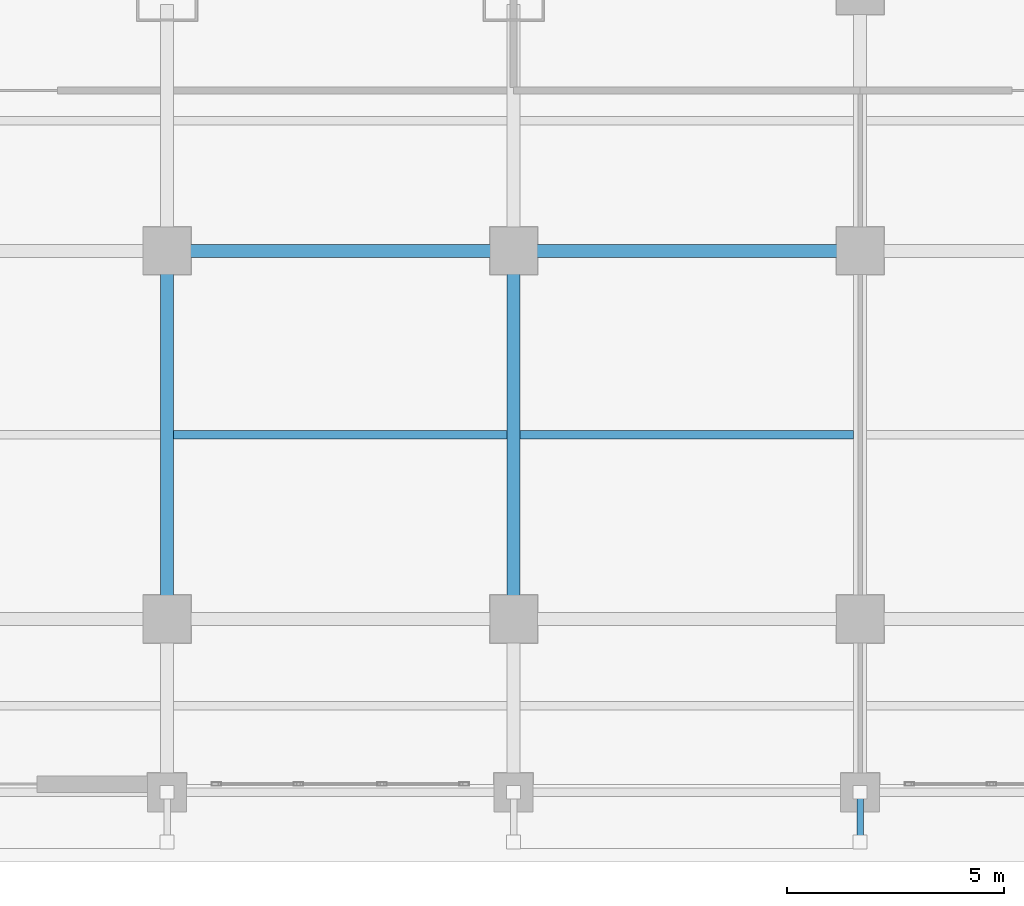
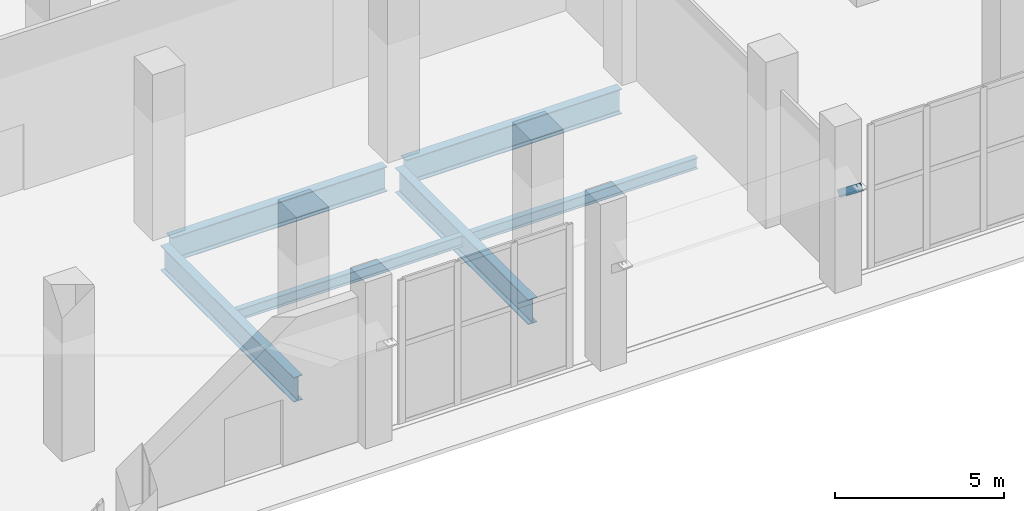
# One storey, part 7 of 19: 6 beams, 1 member.
"""IFC4 building model written with IfcOpenShell, lengths in metres."""

from ifc_helpers import new_model, si_unit, direction, frame, origin, origin_2d, place, context, subcontext, project, spatial, hollow_rectangle, i_section, extrude, material, material_profile, profile_set, type_object, element, save


model = new_model("IFC4")

# Units and contexts
model_context = context("Model", 3, precision=1e-05, world=origin(), true_north=direction((0.0, 1.0)))
body_context = subcontext(model_context, "Body", "Model", "MODEL_VIEW")
ifc_project = project(units=[si_unit("LENGTHUNIT", "METRE"), si_unit("AREAUNIT", "SQUARE_METRE"), si_unit("VOLUMEUNIT", "CUBIC_METRE"), si_unit("PLANEANGLEUNIT", "RADIAN"), si_unit("MASSUNIT", "GRAM", prefix="KILO")], contexts=[model_context])

# Site, building, storey
site_placement = place(None, origin())
site = spatial("IfcSite", under=ifc_project, at=site_placement, CompositionType="ELEMENT")
building_placement = place(site_placement, origin())
building = spatial("IfcBuilding", under=site, at=building_placement, Name="Qianrong Seaharbour Tower", CompositionType="ELEMENT")
storey_placement = place(building_placement, origin())
storey = spatial("IfcBuildingStorey", under=building, at=storey_placement, Name="L01", CompositionType="ELEMENT", Elevation=0.0)

# Beams
ifc_material_1 = material(Name="Structural steel SN490B", Category="steel")
ifc_material_profile_1 = material_profile(ifc_material_1, i_section(OverallWidth=0.300048828125, OverallDepth=0.89990234375, WebThickness=0.01611328125, FlangeThickness=0.028076171875, FilletRadius=0.028076171875, at=origin_2d()), Name="H900x300x16x28")
ifc_profile_set_1 = profile_set([ifc_material_profile_1], Name="Structural steel SN490B")
beam_type_1 = type_object("IfcBeamType", Name="BM-G-900", PredefinedType="BEAM", material=ifc_profile_set_1)
for number, where, z_axis, x_axis, name in (
    (1, (32.820068359375, 12.5, -0.8701171875), (1.0, 0.0, 0.0), (0.0, 1.0, 0.0), "L01 Primary Girder GC G5-G6"),
    (2, (40.820068359375, 12.5, -0.8701171875), (1.0, 0.0, 0.0), (0.0, 1.0, 0.0), "L01 Primary Girder GC G6-G7"),
):
    element("IfcBeam", number, at=place(storey_placement, frame(where, z_axis=z_axis, x_axis=x_axis)), inside=storey, type_object=beam_type_1, Name=name, PredefinedType="BEAM", context=body_context, shape_type="SweptSolid", body=[
        extrude(i_section(OverallWidth=0.300048828125, OverallDepth=0.89990234375, WebThickness=0.01611328125, FlangeThickness=0.028076171875, FilletRadius=0.028076171875, at=origin_2d()), origin(), (0.0, 0.0, 1.0), 7.35986328125),
    ])
for number, where, z_axis, x_axis, name in (
    (3, (32.5, 4.320068359375, -0.8701171875), (0.0, 1.0, 0.0), (-1.0, 0.0, 0.0), "L01 Primary Girder G5 GB-GC"),
    (4, (40.5, 4.320068359375, -0.8701171875), (0.0, 1.0, 0.0), (-1.0, 0.0, 0.0), "L01 Primary Girder G6 GB-GC"),
):
    element("IfcBeam", number, at=place(storey_placement, frame(where, z_axis=z_axis, x_axis=x_axis)), inside=storey, type_object=beam_type_1, Name=name, PredefinedType="BEAM", context=body_context, shape_type="SweptSolid", body=[
        extrude(i_section(OverallWidth=0.300048828125, OverallDepth=0.89990234375, WebThickness=0.01611328125, FlangeThickness=0.028076171875, FilletRadius=0.028076171875, at=origin_2d()), origin(), (0.0, 0.0, 1.0), 7.85986328125),
    ])
ifc_material_2 = material(Name="Structural steel SN400B", Category="steel")
ifc_material_profile_2 = material_profile(ifc_material_2, i_section(OverallWidth=0.199951171875, OverallDepth=0.39990234375, WebThickness=0.008056640625, FlangeThickness=0.012939453125, FilletRadius=0.01611328125, at=origin_2d()), Name="H400x200x8x13")
ifc_profile_set_2 = profile_set([ifc_material_profile_2], Name="Structural steel SN400B")
beam_type_2 = type_object("IfcBeamType", Name="BM-J-400", PredefinedType="JOIST", material=ifc_profile_set_2)
for number, where, z_axis, x_axis, name in (
    (5, (32.64990234375, 8.25, -0.6201171875), (1.0, 0.0, 0.0), (0.0, 1.0, 0.0), "L01 Composite Floor Joist G5-G6/GB-GC"),
    (6, (40.64990234375, 8.25, -0.6201171875), (1.0, 0.0, 0.0), (0.0, 1.0, 0.0), "L01 Composite Floor Joist G6-G7/GB-GC"),
):
    element("IfcBeam", number, at=place(storey_placement, frame(where, z_axis=z_axis, x_axis=x_axis)), inside=storey, type_object=beam_type_2, Name=name, PredefinedType="JOIST", context=body_context, shape_type="SweptSolid", body=[
        extrude(i_section(OverallWidth=0.199951171875, OverallDepth=0.39990234375, WebThickness=0.008056640625, FlangeThickness=0.012939453125, FilletRadius=0.01611328125, at=origin_2d()), origin(), (0.0, 0.0, 1.0), 7.7001953125),
    ])

# Member
ifc_material_profile_3 = material_profile(ifc_material_2, hollow_rectangle(XDim=0.14990234375, YDim=0.25, WallThickness=0.009033203125, at=origin_2d()), Name="RHS250x150x9")
ifc_profile_set_3 = profile_set([ifc_material_profile_3], Name="Structural steel SN400B")
member_type = type_object("IfcMemberType", Name="MEM-STRUT-250", PredefinedType="STRUT", material=ifc_profile_set_3)
member_placement = place(storey_placement, frame((48.5, 0.0, 3.199951171875), z_axis=(0.0, -0.78743090963, 0.616402922251), x_axis=(1.0, 0.0, 0.0)))
element("IfcMember", 7, at=member_placement, inside=storey, type_object=member_type, Name="Colonnade Canopy Support Strut 3E", PredefinedType="STRUT", context=body_context, shape_type="SweptSolid", body=[
    extrude(hollow_rectangle(XDim=0.14990234375, YDim=0.25, WallThickness=0.009033203125, at=origin_2d()), origin(), (0.0, 0.0, 1.0), 1.460205078125),
])

save(model, "model.ifc")
